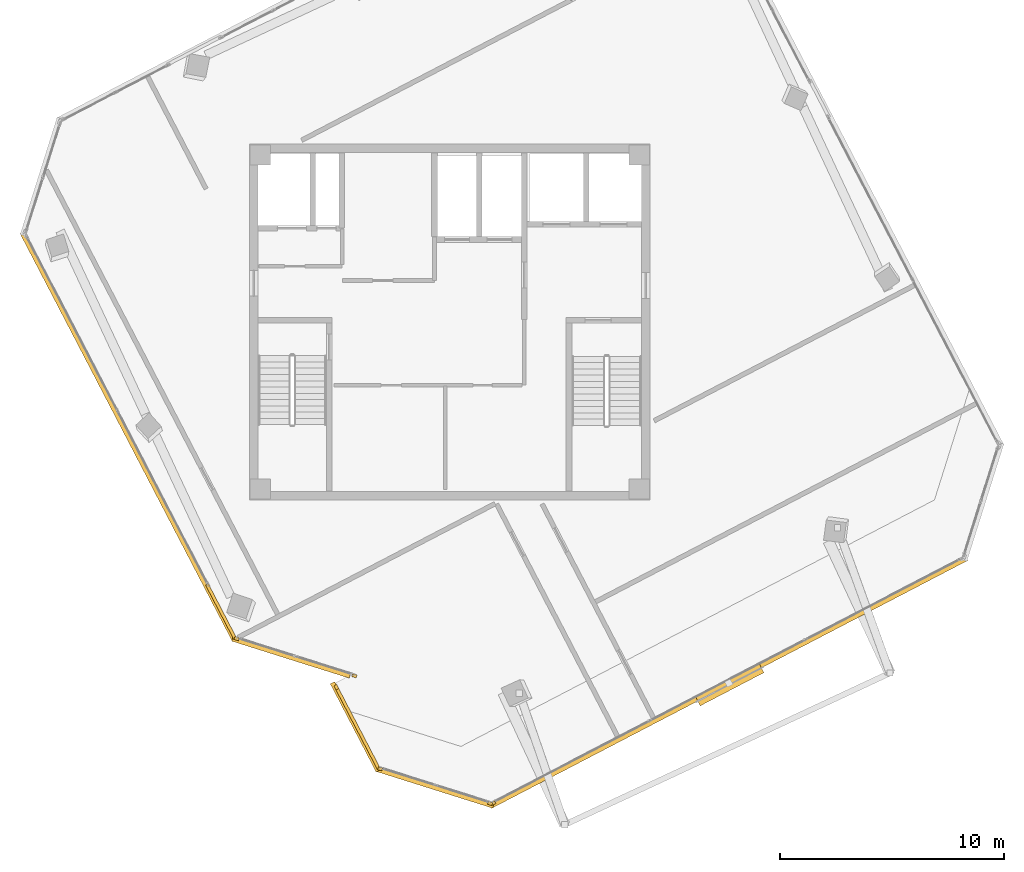
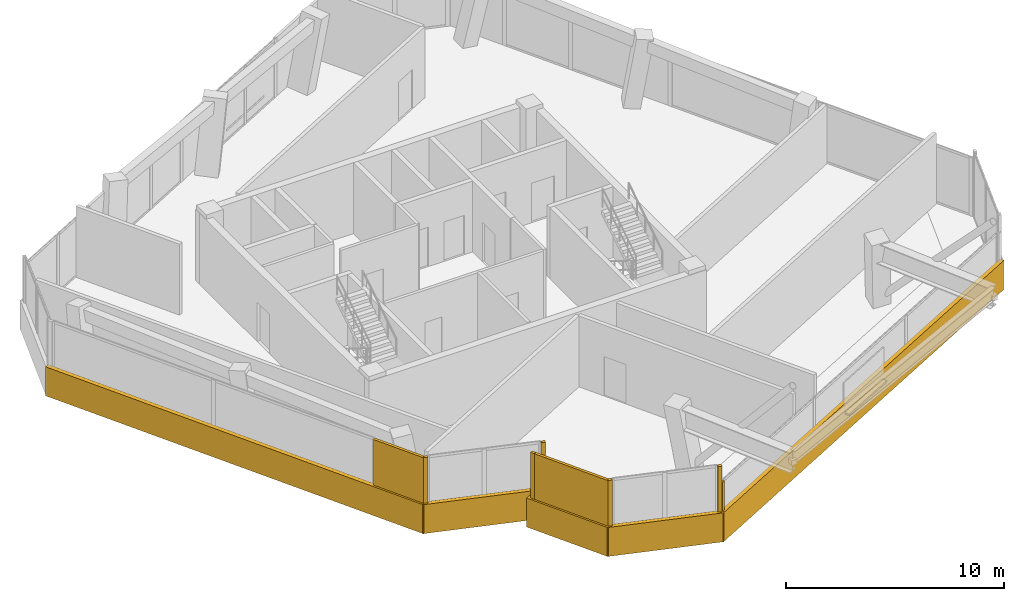
# One storey, part 14 of 16: 13 coverings, 1 shading device.
"""IFC4 building model written with IfcOpenShell, lengths in metres."""

from ifc_helpers import new_model, si_unit, direction, frame, origin, origin_2d, place, context, subcontext, project, spatial, rectangle, extrude, source, transform, mapped, material, layer, layer_set, type_object, element, save


model = new_model("IFC4")

# Units and contexts
model_context = context("Model", 3, precision=1e-05, world=origin(), true_north=direction((0.0, 1.0)))
body_context = subcontext(model_context, "Body", "Model", "MODEL_VIEW")
ifc_project = project(units=[si_unit("LENGTHUNIT", "METRE"), si_unit("AREAUNIT", "SQUARE_METRE"), si_unit("VOLUMEUNIT", "CUBIC_METRE"), si_unit("PLANEANGLEUNIT", "RADIAN"), si_unit("MASSUNIT", "GRAM", prefix="KILO")], contexts=[model_context])

# Site, building, storey
site_placement = place(None, origin())
site = spatial("IfcSite", under=ifc_project, at=site_placement, CompositionType="ELEMENT")
building_placement = place(site_placement, origin())
building = spatial("IfcBuilding", under=site, at=building_placement, Name="Torre Montelarca", CompositionType="ELEMENT")
storey_placement = place(building_placement, frame((0.0, 0.0, 336.60009765625)))
storey = spatial("IfcBuildingStorey", under=building, at=storey_placement, Name="L76", CompositionType="ELEMENT", Elevation=336.60009765625)

# Shading device
ifc_material_1 = material(Name="Anodised champagne bronze aluminium AA 6063-T6", Category="aluminium")
ifc_layer_1 = layer(ifc_material_1, 0.070068359375, Name="Anodised champagne bronze aluminium AA 6063-T6", Category="aluminium")
ifc_layer_set_1 = layer_set([ifc_layer_1], Name="Anodised champagne bronze aluminium AA 6063-T6")
shading_device_type = type_object("IfcShadingDeviceType", Name="SHD-SUNSHADE-1", PredefinedType="USERDEFINED", material=ifc_layer_set_1)
shared_shape_1 = source(origin(), body_context, "Body", "SweptSolid", [
    extrude(rectangle(XDim=3.199951171875, YDim=0.47998046875, at=origin_2d()), origin(), (0.0, 0.0, 1.0), 0.10009765625),
])
shading_device_placement = place(storey_placement, frame((30.4765625, 15.8388671875, 0.56982421875), z_axis=(0.0, 0.0, 1.0), x_axis=(0.887010833178, 0.461748613235, 0.0)))
element("IfcShadingDevice", 1, at=shading_device_placement, inside=storey, type_object=shading_device_type, Name="L76 Facade Solar Shading Device E6", ObjectType="SUNSHADE", PredefinedType="USERDEFINED", context=body_context, shape_type="MappedRepresentation", body=[
    mapped(shared_shape_1, transform((0.0, 0.0, 0.0), scale=1.0)),
])

# Coverings
ifc_material_2 = material(Name="Bush-hammered warm white precast concrete C45/55", Category="concrete")
ifc_layer_2 = layer(ifc_material_2, 0.139892578125, Name="Bush-hammered warm white precast concrete C45/55", Category="concrete")
ifc_layer_set_2 = layer_set([ifc_layer_2], Name="Bush-hammered warm white precast concrete C45/55")
covering_type = type_object("IfcCoveringType", Name="COV-TRAY-CLAD", PredefinedType="CLADDING", material=ifc_layer_set_2)
shared_shape_2 = source(origin(), body_context, "Body", "SweptSolid", [
    extrude(rectangle(XDim=0.199951171875, YDim=0.139892578125, at=origin_2d()), origin(), (0.0, 0.0, 1.0), 3.719970703125),
])
for number, where, z_axis, x_axis, name in (
    (2, (8.495361328125, 17.881591796875, 0.0), (0.0, 0.0, 1.0), (0.953717475577, -0.300704134954, 0.0), "L76 Architectural Column Pier Cladding E02-1"),
    (3, (13.75048828125, 16.224609375, 0.0), (0.0, 0.0, 1.0), (0.953717475577, -0.300704134954, 0.0), "L76 Architectural Column Pier Cladding E02-2"),
    (4, (12.94189453125, 15.716552734375, 0.0), (0.0, 0.0, 1.0), (0.461776479274, -0.88699632648, 0.0), "L76 Architectural Column Pier Cladding E04-1"),
    (5, (14.896484375, 12.08203125, 0.0), (0.0, 0.0, 1.0), (0.953718525227, -0.30070080585, 0.0), "L76 Architectural Column Pier Cladding E05-1"),
    (6, (19.80078125, 10.535888671875, 0.0), (0.0, 0.0, 1.0), (0.953718525227, -0.30070080585, 0.0), "L76 Architectural Column Pier Cladding E05-2"),
):
    element("IfcCovering", number, at=place(storey_placement, frame(where, z_axis=z_axis, x_axis=x_axis)), inside=storey, type_object=covering_type, Name=name, PredefinedType="CLADDING", context=body_context, shape_type="MappedRepresentation", body=[
        mapped(shared_shape_2, transform((0.0, 0.0, 0.0), scale=1.0)),
    ])
shared_shape_3 = source(origin(), body_context, "Body", "SweptSolid", [
    extrude(rectangle(XDim=0.199951171875, YDim=0.139892578125, at=origin_2d()), origin(), (0.0, 0.0, 1.0), 2.77490234375),
])
covering_1_placement = place(storey_placement, frame((19.9453125, 10.54833984375, 0.0), z_axis=(0.0, 0.0, 1.0), x_axis=(0.88701163908, 0.461747065108, 0.0)))
element("IfcCovering", 7, at=covering_1_placement, inside=storey, type_object=covering_type, Name="L76 Architectural Column Pier Cladding E06-1", PredefinedType="CLADDING", context=body_context, shape_type="MappedRepresentation", body=[
    mapped(shared_shape_3, transform((0.0, 0.0, 0.0), scale=1.0)),
])
shared_shape_4 = source(origin(), body_context, "Body", "SweptSolid", [
    extrude(rectangle(XDim=5.493896484375, YDim=0.219970703125, at=origin_2d()), origin(), (0.0, 0.0, 1.0), 1.6201171875),
])
for number, where, z_axis, x_axis, name in (
    (8, (10.929443359375, 17.05126953125, -0.4501953125), (0.0, 0.0, 1.0), (0.953716950748, -0.300705799504, 0.0), "L76 Architectural White Spandrel Tray Band TRYBOT-02"),
    (9, (17.330810546875, 11.251708984375, -0.4501953125), (0.0, 0.0, 1.0), (0.953716950748, -0.300705799504, 0.0), "L76 Architectural White Spandrel Tray Band TRYBOT-05"),
):
    element("IfcCovering", number, at=place(storey_placement, frame(where, z_axis=z_axis, x_axis=x_axis)), inside=storey, type_object=covering_type, Name=name, PredefinedType="CLADDING", context=body_context, shape_type="MappedRepresentation", body=[
        mapped(shared_shape_4, transform((0.0, 0.0, 0.0), scale=1.0)),
    ])
shared_shape_5 = source(origin(), body_context, "Body", "SweptSolid", [
    extrude(rectangle(XDim=4.09228515625, YDim=0.139892578125, at=origin_2d()), origin(), (0.0, 0.0, 1.0), 3.719970703125),
])
covering_2_placement = place(storey_placement, frame((13.88671875, 13.901611328125, 0.0), z_axis=(0.0, 0.0, 1.0), x_axis=(0.461776479274, -0.88699632648, 0.0)))
element("IfcCovering", 10, at=covering_2_placement, inside=storey, type_object=covering_type, Name="L76 Architectural Column Pier Cladding E04-2", PredefinedType="CLADDING", context=body_context, shape_type="MappedRepresentation", body=[
    mapped(shared_shape_5, transform((0.0, 0.0, 0.0), scale=1.0)),
])
shared_shape_6 = source(origin(), body_context, "Body", "SweptSolid", [
    extrude(rectangle(XDim=20.52001953125, YDim=0.219970703125, at=origin_2d()), origin(), (0.0, 0.0, 1.0), 1.6201171875),
])
covering_3_placement = place(storey_placement, frame((3.674560546875, 26.89208984375, -0.4501953125), z_axis=(0.0, 0.0, 1.0), x_axis=(0.46175016136, -0.887010027274, 0.0)))
element("IfcCovering", 11, at=covering_3_placement, inside=storey, type_object=covering_type, Name="L76 Architectural White Spandrel Tray Band TRYBOT-01", PredefinedType="CLADDING", context=body_context, shape_type="MappedRepresentation", body=[
    mapped(shared_shape_6, transform((0.0, 0.0, 0.0), scale=1.0)),
])
shared_shape_7 = source(origin(), body_context, "Body", "SweptSolid", [
    extrude(rectangle(XDim=4.419921875, YDim=0.219970703125, at=origin_2d()), origin(), (0.0, 0.0, 1.0), 1.6201171875),
])
covering_4_placement = place(storey_placement, frame((13.792724609375, 13.951904296875, -0.4501953125), z_axis=(0.0, 0.0, 1.0), x_axis=(0.461767190645, -0.887001162143, 0.0)))
element("IfcCovering", 12, at=covering_4_placement, inside=storey, type_object=covering_type, Name="L76 Architectural White Spandrel Tray Band TRYBOT-04", PredefinedType="CLADDING", context=body_context, shape_type="MappedRepresentation", body=[
    mapped(shared_shape_7, transform((0.0, 0.0, 0.0), scale=1.0)),
])
shared_shape_8 = source(origin(), body_context, "Body", "SweptSolid", [
    extrude(rectangle(XDim=23.919921875, YDim=0.219970703125, at=origin_2d()), origin(), (0.0, 0.0, 1.0), 1.6201171875),
])
covering_5_placement = place(storey_placement, frame((30.42578125, 15.9365234375, -0.4501953125), z_axis=(0.0, 0.0, 1.0), x_axis=(0.887010833178, 0.461748613235, 0.0)))
element("IfcCovering", 13, at=covering_5_placement, inside=storey, type_object=covering_type, Name="L76 Architectural White Spandrel Tray Band TRYBOT-06", PredefinedType="CLADDING", context=body_context, shape_type="MappedRepresentation", body=[
    mapped(shared_shape_8, transform((0.0, 0.0, 0.0), scale=1.0)),
])
shared_shape_9 = source(origin(), body_context, "Body", "SweptSolid", [
    extrude(rectangle(XDim=2.7197265625, YDim=0.139892578125, at=origin_2d()), origin(), (0.0, 0.0, 1.0), 3.719970703125),
])
covering_6_placement = place(storey_placement, frame((7.802490234375, 19.09228515625, 0.0), z_axis=(0.0, 0.0, 1.0), x_axis=(0.461748613235, -0.887010833178, 0.0)))
element("IfcCovering", 14, at=covering_6_placement, inside=storey, type_object=covering_type, Name="L76 Architectural Column Pier Cladding E01-2", PredefinedType="CLADDING", context=body_context, shape_type="MappedRepresentation", body=[
    mapped(shared_shape_9, transform((0.0, 0.0, 0.0), scale=1.0)),
])

save(model, "model.ifc")
